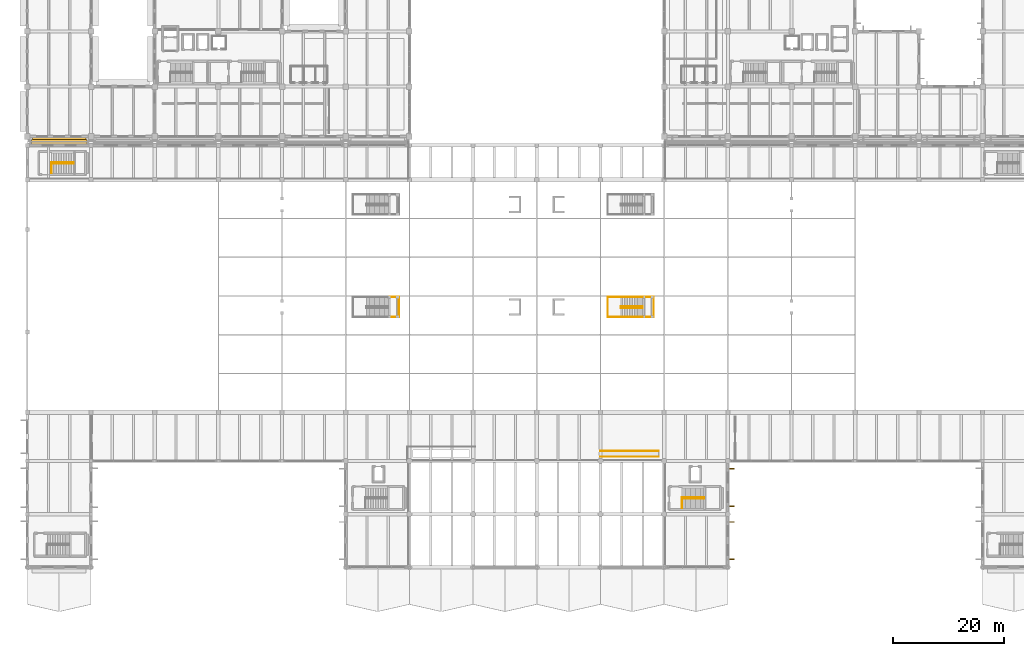
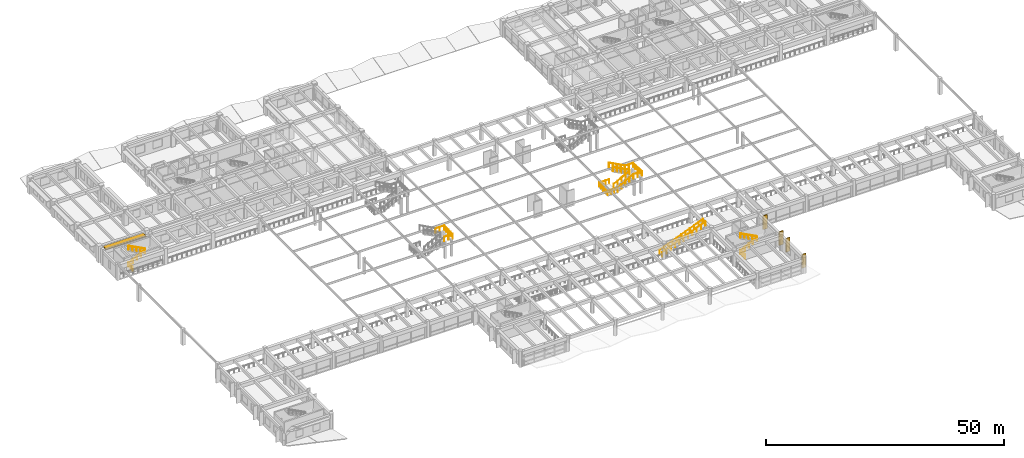
# One storey, part 92 of 98: 18 railings, 6 shading devices.
"""IFC4 building model written with IfcOpenShell, lengths in metres."""

from ifc_helpers import new_model, si_unit, direction, frame, origin, origin_2d, place, context, subcontext, project, spatial, rectangle, circle, extrude, material, layer, layer_set, type_object, element, save


model = new_model("IFC4")

# Units and contexts
model_context = context("Model", 3, precision=1e-05, world=origin(), true_north=direction((0.0, 1.0)))
body_context = subcontext(model_context, "Body", "Model", "MODEL_VIEW")
ifc_project = project(units=[si_unit("LENGTHUNIT", "METRE"), si_unit("AREAUNIT", "SQUARE_METRE"), si_unit("VOLUMEUNIT", "CUBIC_METRE"), si_unit("PLANEANGLEUNIT", "RADIAN"), si_unit("MASSUNIT", "GRAM", prefix="KILO")], contexts=[model_context])

# Site, building, storey
site_placement = place(None, origin())
site = spatial("IfcSite", under=ifc_project, at=site_placement, CompositionType="ELEMENT")
building_placement = place(site_placement, origin())
building = spatial("IfcBuilding", under=site, at=building_placement, Name="Ologun Quay Terminus", CompositionType="ELEMENT")
storey_placement = place(building_placement, frame((0.0, 0.0, 4.199951171875)))
storey = spatial("IfcBuildingStorey", under=building, at=storey_placement, Name="L01", CompositionType="ELEMENT", Elevation=4.199951171875)

# Railings
ifc_material_1 = material(Name="Glass", Category="glass")
railing_type_1 = type_object("IfcRailingType", Name="Concourse & Atrium Glazed Balustrade 1150", PredefinedType="BALUSTRADE", material=ifc_material_1)
for number, where, name in (
    (1, (103.5, 27.97998046875, 0.0), "BL-GL Escalator Side Balustrade ESC-06-S"),
    (2, (103.5, 29.02001953125, 0.0), "BL-GL Escalator Side Balustrade ESC-06-N"),
):
    element("IfcRailing", number, at=place(storey_placement, frame(where)), inside=storey, type_object=railing_type_1, Name=name, PredefinedType="BALUSTRADE", context=body_context, shape_type="SweptSolid", body=[
        extrude(circle(Radius=0.02392578125, at=origin_2d()), frame((0.0, 0.0, 1.1259765625), z_axis=(0.92847817974, 0.0, 0.371386954196), x_axis=(0.0, 1.0, 0.0)), (0.0, 0.0, 1.0), 11.308837890625),
        extrude(circle(Radius=0.02099609375, at=origin_2d()), origin(), (0.0, 0.0, 1.0), 1.101806640625),
        extrude(circle(Radius=0.02099609375, at=origin_2d()), frame((1.050048828125, 0.0, 0.419921875)), (0.0, 0.0, 1.0), 1.101806640625),
        extrude(circle(Radius=0.02099609375, at=origin_2d()), frame((2.10009765625, 0.0, 0.840087890625)), (0.0, 0.0, 1.0), 1.101806640625),
        extrude(circle(Radius=0.02099609375, at=origin_2d()), frame((3.14990234375, 0.0, 1.260009765625)), (0.0, 0.0, 1.0), 1.101806640625),
        extrude(circle(Radius=0.02099609375, at=origin_2d()), frame((4.199951171875, 0.0, 1.679931640625)), (0.0, 0.0, 1.0), 1.101806640625),
        extrude(circle(Radius=0.02099609375, at=origin_2d()), frame((5.25, 0.0, 2.10009765625)), (0.0, 0.0, 1.0), 1.101806640625),
        extrude(circle(Radius=0.02099609375, at=origin_2d()), frame((6.300048828125, 0.0, 2.52001953125)), (0.0, 0.0, 1.0), 1.101806640625),
        extrude(circle(Radius=0.02099609375, at=origin_2d()), frame((7.35009765625, 0.0, 2.93994140625)), (0.0, 0.0, 1.0), 1.101806640625),
        extrude(circle(Radius=0.02099609375, at=origin_2d()), frame((8.39990234375, 0.0, 3.35986328125)), (0.0, 0.0, 1.0), 1.101806640625),
        extrude(circle(Radius=0.02099609375, at=origin_2d()), frame((9.449951171875, 0.0, 3.780029296875)), (0.0, 0.0, 1.0), 1.101806640625),
        extrude(circle(Radius=0.02099609375, at=origin_2d()), frame((10.5, 0.0, 4.199951171875)), (0.0, 0.0, 1.0), 1.101806640625),
    ])

# Shading devices
ifc_material_2 = material(Name="Aluminium 6063-T6", Category="aluminium")
ifc_layer_1 = layer(ifc_material_2, 0.10009765625)
ifc_layer_set_1 = layer_set([ifc_layer_1], Name="Aluminium 6063-T6")
shading_device_type_1 = type_object("IfcShadingDeviceType", Name="Deep Waterfront Brise-Soleil Blade 1200", PredefinedType="JALOUSIE", material=ifc_layer_set_1)
shading_device_1_placement = place(storey_placement, frame((5.75, 85.070068359375, 3.530029296875), z_axis=(0.0, 0.0, 1.0), x_axis=(1.0, 0.0, 0.0)))
element("IfcShadingDevice", 3, at=shading_device_1_placement, inside=storey, type_object=shading_device_type_1, Name="SD-02 Sun-Hood WEW-WW-O-L01-1", PredefinedType="JALOUSIE", context=body_context, shape_type="SweptSolid", body=[
    extrude(rectangle(XDim=9.659912109375, YDim=1.199951171875, at=origin_2d()), origin(), (0.0, 0.0, 1.0), 0.10009765625),
])
ifc_material_3 = material(Name="Aluminium 6063-T6", Category="aluminium")
ifc_layer_2 = layer(ifc_material_3, 0.080078125)
ifc_layer_set_2 = layer_set([ifc_layer_2], Name="Aluminium 6063-T6")
shading_device_type_2 = type_object("IfcShadingDeviceType", Name="Horizontal Extruded Aluminium Sun Louvre 900", PredefinedType="JALOUSIE", material=ifc_layer_set_2)
shading_device_2_placement = place(storey_placement, frame((5.75, 84.780029296875, 3.4599609375), z_axis=(0.0, 0.0, 1.0), x_axis=(1.0, 0.0, 0.0)))
element("IfcShadingDevice", 4, at=shading_device_2_placement, inside=storey, type_object=shading_device_type_2, Name="SD-01 Sun-Hood WEW-NGW-L01-01", PredefinedType="JALOUSIE", context=body_context, shape_type="SweptSolid", body=[
    extrude(rectangle(XDim=9.9599609375, YDim=0.89990234375, at=origin_2d()), origin(), (0.0, 0.0, 1.0), 0.080078125),
])
ifc_material_4 = material(Name="Concrete C40/50", Category="concrete")
ifc_layer_3 = layer(ifc_material_4, 0.179931640625)
ifc_layer_set_3 = layer_set([ifc_layer_3], Name="Concrete C40/50")
shading_device_type_3 = type_object("IfcShadingDeviceType", Name="Sculpted Concrete Vertical Solar Fin 1050x180", PredefinedType="USERDEFINED", material=ifc_layer_set_3)
for number, where, z_axis, x_axis, name in (
    (5, (127.175048828125, 9.419921875, 0.150146484375), (0.0, 0.0, 1.0), (1.0, 0.0, 0.0), "SD-04 Vertical Solar Fin WEW-SA-L01-2-11-1"),
    (6, (127.175048828125, 16.179931640625, 0.150146484375), (0.0, 0.0, 1.0), (1.0, 0.0, 0.0), "SD-04 Vertical Solar Fin WEW-SA-L01-2-11-2"),
    (7, (127.175048828125, 19.02001953125, 0.150146484375), (0.0, 0.0, 1.0), (1.0, 0.0, 0.0), "SD-04 Vertical Solar Fin WEW-SA-L01-2-12-1"),
    (8, (127.175048828125, 25.780029296875, 0.150146484375), (0.0, 0.0, 1.0), (1.0, 0.0, 0.0), "SD-04 Vertical Solar Fin WEW-SA-L01-2-12-2"),
):
    element("IfcShadingDevice", number, at=place(storey_placement, frame(where, z_axis=z_axis, x_axis=x_axis)), inside=storey, type_object=shading_device_type_3, Name=name, ObjectType="SOLAR FIN", PredefinedType="USERDEFINED", context=body_context, shape_type="SweptSolid", body=[
        extrude(rectangle(XDim=1.050048828125, YDim=0.179931640625, at=origin_2d()), origin(), (0.0, 0.0, 1.0), 3.5400390625),
    ])

# Railings
ifc_material_5 = material(Name="Steel S355", Category="steel")
railing_type_2 = type_object("IfcRailingType", Name="Stair & Landing Steel Guardrail 1100", PredefinedType="GUARDRAIL", material=ifc_material_5)
railing_1_placement = place(storey_placement, frame((118.2099609375, 20.590087890625, 0.0)))
element("IfcRailing", 9, at=railing_1_placement, inside=storey, type_object=railing_type_2, Name="GR-ST Stair Floor Edge Guard ST-S4 L01", PredefinedType="GUARDRAIL", context=body_context, shape_type="SweptSolid", body=[
    extrude(circle(Radius=0.02392578125, at=origin_2d()), frame((0.0, 0.0, 1.076171875), z_axis=(0.0, -1.0, 0.0), x_axis=(1.0, 0.0, 0.0)), (0.0, 0.0, 1.0), 1.93017578125),
    extrude(circle(Radius=0.02099609375, at=origin_2d()), origin(), (0.0, 0.0, 1.0), 1.052001953125),
    extrude(circle(Radius=0.02099609375, at=origin_2d()), frame((0.0, -0.965087890625, 0.0)), (0.0, 0.0, 1.0), 1.052001953125),
    extrude(circle(Radius=0.02099609375, at=origin_2d()), frame((0.0, -1.93017578125, 0.0)), (0.0, 0.0, 1.0), 1.052001953125),
])
railing_2_placement = place(storey_placement, frame((118.25, 20.39990234375, 0.0)))
element("IfcRailing", 10, at=railing_2_placement, inside=storey, type_object=railing_type_2, Name="GR-ST Stair Inner Well Guard ST-S4 L01", PredefinedType="GUARDRAIL", context=body_context, shape_type="SweptSolid", body=[
    extrude(circle(Radius=0.02392578125, at=origin_2d()), frame((0.0, 0.0, 1.076171875), z_axis=(0.881967403671, 0.0, 0.471310406062), x_axis=(0.0, 1.0, 0.0)), (0.0, 0.0, 1.0), 4.455810546875),
    extrude(circle(Radius=0.02392578125, at=origin_2d()), frame((3.929931640625, 0.0, 3.17626953125), z_axis=(0.0, 1.0, 0.0), x_axis=(-1.0, 0.0, 0.0)), (0.0, 0.0, 1.0), 0.2001953125),
    extrude(circle(Radius=0.02392578125, at=origin_2d()), frame((3.929931640625, 0.2001953125, 3.17626953125), z_axis=(-0.881990178689, 0.0, 0.471267784488), x_axis=(0.0, -1.0, 0.0)), (0.0, 0.0, 1.0), 4.455810546875),
    extrude(circle(Radius=0.02099609375, at=origin_2d()), origin(), (0.0, 0.0, 1.0), 1.052001953125),
    extrude(circle(Radius=0.02099609375, at=origin_2d()), frame((0.982421875, 0.0, 0.52490234375)), (0.0, 0.0, 1.0), 1.052001953125),
    extrude(circle(Radius=0.02099609375, at=origin_2d()), frame((1.96484375, 0.0, 1.050048828125)), (0.0, 0.0, 1.0), 1.052001953125),
    extrude(circle(Radius=0.02099609375, at=origin_2d()), frame((2.947509765625, 0.0, 1.5751953125)), (0.0, 0.0, 1.0), 1.052001953125),
    extrude(circle(Radius=0.02099609375, at=origin_2d()), frame((3.929931640625, 0.0, 2.10009765625)), (0.0, 0.0, 1.0), 1.052001953125),
    extrude(circle(Radius=0.02099609375, at=origin_2d()), frame((3.929931640625, 0.2001953125, 2.10009765625)), (0.0, 0.0, 1.0), 1.052001953125),
    extrude(circle(Radius=0.02099609375, at=origin_2d()), frame((2.947509765625, 0.2001953125, 2.625)), (0.0, 0.0, 1.0), 1.052001953125),
    extrude(circle(Radius=0.02099609375, at=origin_2d()), frame((1.96484375, 0.2001953125, 3.14990234375)), (0.0, 0.0, 1.0), 1.052001953125),
    extrude(circle(Radius=0.02099609375, at=origin_2d()), frame((0.982421875, 0.2001953125, 3.675048828125)), (0.0, 0.0, 1.0), 1.052001953125),
    extrude(circle(Radius=0.02099609375, at=origin_2d()), frame((0.0, 0.2001953125, 4.199951171875)), (0.0, 0.0, 1.0), 1.052001953125),
])
railing_3_placement = place(storey_placement, frame((4.360107421875, 81.090087890625, 0.0)))
element("IfcRailing", 11, at=railing_3_placement, inside=storey, type_object=railing_type_2, Name="GR-ST Stair Floor Edge Guard ST-NG1 L01", PredefinedType="GUARDRAIL", context=body_context, shape_type="SweptSolid", body=[
    extrude(circle(Radius=0.02392578125, at=origin_2d()), frame((0.0, 0.0, 1.076171875), z_axis=(0.0, -1.0, 0.0), x_axis=(1.0, 0.0, 0.0)), (0.0, 0.0, 1.0), 1.93017578125),
    extrude(circle(Radius=0.02099609375, at=origin_2d()), origin(), (0.0, 0.0, 1.0), 1.052001953125),
    extrude(circle(Radius=0.02099609375, at=origin_2d()), frame((0.0, -0.965087890625, 0.0)), (0.0, 0.0, 1.0), 1.052001953125),
    extrude(circle(Radius=0.02099609375, at=origin_2d()), frame((0.0, -1.93017578125, 0.0)), (0.0, 0.0, 1.0), 1.052001953125),
])
railing_4_placement = place(storey_placement, frame((4.39990234375, 80.89990234375, 0.0)))
element("IfcRailing", 12, at=railing_4_placement, inside=storey, type_object=railing_type_2, Name="GR-ST Stair Inner Well Guard ST-NG1 L01", PredefinedType="GUARDRAIL", context=body_context, shape_type="SweptSolid", body=[
    extrude(circle(Radius=0.02392578125, at=origin_2d()), frame((0.0, 0.0, 1.076171875), z_axis=(0.881979573659, 0.0, 0.471287631545), x_axis=(0.0, 1.0, 0.0)), (0.0, 0.0, 1.0), 4.4560546875),
    extrude(circle(Radius=0.02392578125, at=origin_2d()), frame((3.93017578125, 0.0, 3.17626953125), z_axis=(0.0, 1.0, 0.0), x_axis=(-1.0, 0.0, 0.0)), (0.0, 0.0, 1.0), 0.2001953125),
    extrude(circle(Radius=0.02392578125, at=origin_2d()), frame((3.93017578125, 0.2001953125, 3.17626953125), z_axis=(-0.882002346791, 0.0, 0.471245010855), x_axis=(0.0, -1.0, 0.0)), (0.0, 0.0, 1.0), 4.4560546875),
    extrude(circle(Radius=0.02099609375, at=origin_2d()), origin(), (0.0, 0.0, 1.0), 1.052001953125),
    extrude(circle(Radius=0.02099609375, at=origin_2d()), frame((0.982421875, 0.0, 0.52490234375)), (0.0, 0.0, 1.0), 1.052001953125),
    extrude(circle(Radius=0.02099609375, at=origin_2d()), frame((1.965087890625, 0.0, 1.050048828125)), (0.0, 0.0, 1.0), 1.052001953125),
    extrude(circle(Radius=0.02099609375, at=origin_2d()), frame((2.94775390625, 0.0, 1.5751953125)), (0.0, 0.0, 1.0), 1.052001953125),
    extrude(circle(Radius=0.02099609375, at=origin_2d()), frame((3.93017578125, 0.0, 2.10009765625)), (0.0, 0.0, 1.0), 1.052001953125),
    extrude(circle(Radius=0.02099609375, at=origin_2d()), frame((3.93017578125, 0.2001953125, 2.10009765625)), (0.0, 0.0, 1.0), 1.052001953125),
    extrude(circle(Radius=0.02099609375, at=origin_2d()), frame((2.94775390625, 0.2001953125, 2.625)), (0.0, 0.0, 1.0), 1.052001953125),
    extrude(circle(Radius=0.02099609375, at=origin_2d()), frame((1.965087890625, 0.2001953125, 3.14990234375)), (0.0, 0.0, 1.0), 1.052001953125),
    extrude(circle(Radius=0.02099609375, at=origin_2d()), frame((0.982421875, 0.2001953125, 3.675048828125)), (0.0, 0.0, 1.0), 1.052001953125),
    extrude(circle(Radius=0.02099609375, at=origin_2d()), frame((0.0, 0.2001953125, 4.199951171875)), (0.0, 0.0, 1.0), 1.052001953125),
])
railing_5_placement = place(storey_placement, frame((107.199951171875, 54.85009765625, 0.0)))
element("IfcRailing", 13, at=railing_5_placement, inside=storey, type_object=railing_type_2, Name="GR-ST Stair Inner Well Guard ST-P2U L01", PredefinedType="GUARDRAIL", context=body_context, shape_type="SweptSolid", body=[
    extrude(circle(Radius=0.02392578125, at=origin_2d()), frame((0.0, 0.0, 1.076171875), z_axis=(0.881967403671, 0.0, 0.471310406062), x_axis=(0.0, 1.0, 0.0)), (0.0, 0.0, 1.0), 4.455810546875),
    extrude(circle(Radius=0.02392578125, at=origin_2d()), frame((3.929931640625, 0.0, 3.17626953125), z_axis=(0.0, 1.0, 0.0), x_axis=(-1.0, 0.0, 0.0)), (0.0, 0.0, 1.0), 0.2998046875),
    extrude(circle(Radius=0.02392578125, at=origin_2d()), frame((3.929931640625, 0.2998046875, 3.17626953125), z_axis=(-0.881990178689, 0.0, 0.471267784488), x_axis=(0.0, -1.0, 0.0)), (0.0, 0.0, 1.0), 4.455810546875),
    extrude(circle(Radius=0.02099609375, at=origin_2d()), origin(), (0.0, 0.0, 1.0), 1.052001953125),
    extrude(circle(Radius=0.02099609375, at=origin_2d()), frame((0.982421875, 0.0, 0.52490234375)), (0.0, 0.0, 1.0), 1.052001953125),
    extrude(circle(Radius=0.02099609375, at=origin_2d()), frame((1.96484375, 0.0, 1.050048828125)), (0.0, 0.0, 1.0), 1.052001953125),
    extrude(circle(Radius=0.02099609375, at=origin_2d()), frame((2.947509765625, 0.0, 1.5751953125)), (0.0, 0.0, 1.0), 1.052001953125),
    extrude(circle(Radius=0.02099609375, at=origin_2d()), frame((3.929931640625, 0.0, 2.10009765625)), (0.0, 0.0, 1.0), 1.052001953125),
    extrude(circle(Radius=0.02099609375, at=origin_2d()), frame((3.929931640625, 0.2998046875, 2.10009765625)), (0.0, 0.0, 1.0), 1.052001953125),
    extrude(circle(Radius=0.02099609375, at=origin_2d()), frame((2.947509765625, 0.2998046875, 2.625)), (0.0, 0.0, 1.0), 1.052001953125),
    extrude(circle(Radius=0.02099609375, at=origin_2d()), frame((1.96484375, 0.2998046875, 3.14990234375)), (0.0, 0.0, 1.0), 1.052001953125),
    extrude(circle(Radius=0.02099609375, at=origin_2d()), frame((0.982421875, 0.2998046875, 3.675048828125)), (0.0, 0.0, 1.0), 1.052001953125),
    extrude(circle(Radius=0.02099609375, at=origin_2d()), frame((0.0, 0.2998046875, 4.199951171875)), (0.0, 0.0, 1.0), 1.052001953125),
])
railing_6_placement = place(storey_placement, frame((107.219970703125, 53.199951171875, 0.0)))
element("IfcRailing", 14, at=railing_6_placement, inside=storey, type_object=railing_type_2, Name="GR-ST Platform Transfer Bridge Guard ST-P2 L01", PredefinedType="GUARDRAIL", context=body_context, shape_type="SweptSolid", body=[
    extrude(circle(Radius=0.02392578125, at=origin_2d()), frame((0.0, 0.0, 1.076171875), z_axis=(-1.0, 0.0, 0.0), x_axis=(0.0, -1.0, 0.0)), (0.0, 0.0, 1.0), 2.419921875),
    extrude(circle(Radius=0.02392578125, at=origin_2d()), frame((-2.419921875, 0.0, 1.076171875), z_axis=(0.0, 1.0, 0.0), x_axis=(-1.0, 0.0, 0.0)), (0.0, 0.0, 1.0), 3.60009765625),
    extrude(circle(Radius=0.02392578125, at=origin_2d()), frame((-2.419921875, 3.60009765625, 1.076171875), z_axis=(1.0, 0.0, 0.0), x_axis=(0.0, 1.0, 0.0)), (0.0, 0.0, 1.0), 2.419921875),
    extrude(circle(Radius=0.02099609375, at=origin_2d()), origin(), (0.0, 0.0, 1.0), 1.052001953125),
    extrude(circle(Radius=0.02099609375, at=origin_2d()), frame((-0.806640625, 0.0, 0.0)), (0.0, 0.0, 1.0), 1.052001953125),
    extrude(circle(Radius=0.02099609375, at=origin_2d()), frame((-1.61328125, 0.0, 0.0)), (0.0, 0.0, 1.0), 1.052001953125),
    extrude(circle(Radius=0.02099609375, at=origin_2d()), frame((-2.419921875, 0.0, 0.0)), (0.0, 0.0, 1.0), 1.052001953125),
    extrude(circle(Radius=0.02099609375, at=origin_2d()), frame((-2.419921875, 0.89990234375, 0.0)), (0.0, 0.0, 1.0), 1.052001953125),
    extrude(circle(Radius=0.02099609375, at=origin_2d()), frame((-2.419921875, 1.800048828125, 0.0)), (0.0, 0.0, 1.0), 1.052001953125),
    extrude(circle(Radius=0.02099609375, at=origin_2d()), frame((-2.419921875, 2.7001953125, 0.0)), (0.0, 0.0, 1.0), 1.052001953125),
    extrude(circle(Radius=0.02099609375, at=origin_2d()), frame((-2.419921875, 3.60009765625, 0.0)), (0.0, 0.0, 1.0), 1.052001953125),
    extrude(circle(Radius=0.02099609375, at=origin_2d()), frame((-1.61328125, 3.60009765625, 0.0)), (0.0, 0.0, 1.0), 1.052001953125),
    extrude(circle(Radius=0.02099609375, at=origin_2d()), frame((-0.806640625, 3.60009765625, 0.0)), (0.0, 0.0, 1.0), 1.052001953125),
    extrude(circle(Radius=0.02099609375, at=origin_2d()), frame((0.0, 3.60009765625, 0.0)), (0.0, 0.0, 1.0), 1.052001953125),
])
ifc_material_6 = material(Name="Steel S355", Category="steel")
railing_type_3 = type_object("IfcRailingType", Name="Stair Stainless Tubular Handrail 920", PredefinedType="HANDRAIL", material=ifc_material_6)
railing_7_placement = place(storey_placement, frame((118.25, 20.389892578125, 0.150146484375)))
element("IfcRailing", 15, at=railing_7_placement, inside=storey, type_object=railing_type_3, Name="HR-ST Handrail ST-S4-F1 L01", PredefinedType="HANDRAIL", context=body_context, shape_type="SweptSolid", body=[
    extrude(circle(Radius=0.02392578125, at=origin_2d()), frame((0.0, 0.0, 0.89599609375), z_axis=(0.894427191, 0.0, 0.4472135955), x_axis=(0.0, 1.0, 0.0)), (0.0, 0.0, 1.0), 4.360107421875),
    extrude(circle(Radius=0.02099609375, at=origin_2d()), origin(), (0.0, 0.0, 1.0), 0.871826171875),
    extrude(circle(Radius=0.02099609375, at=origin_2d()), frame((0.97509765625, 0.0, 0.487548828125)), (0.0, 0.0, 1.0), 0.871826171875),
    extrude(circle(Radius=0.02099609375, at=origin_2d()), frame((1.949951171875, 0.0, 0.97509765625)), (0.0, 0.0, 1.0), 0.871826171875),
    extrude(circle(Radius=0.02099609375, at=origin_2d()), frame((2.9248046875, 0.0, 1.46240234375)), (0.0, 0.0, 1.0), 0.871826171875),
    extrude(circle(Radius=0.02099609375, at=origin_2d()), frame((3.89990234375, 0.0, 1.949951171875)), (0.0, 0.0, 1.0), 0.871826171875),
])
railing_8_placement = place(storey_placement, frame((122.14990234375, 20.610107421875, 2.25)))
element("IfcRailing", 16, at=railing_8_placement, inside=storey, type_object=railing_type_3, Name="HR-ST Handrail ST-S4-F2 L01", PredefinedType="HANDRAIL", context=body_context, shape_type="SweptSolid", body=[
    extrude(circle(Radius=0.02392578125, at=origin_2d()), frame((0.0, 0.0, 0.89599609375), z_axis=(-0.894427191, 0.0, 0.4472135955), x_axis=(0.0, -1.0, 0.0)), (0.0, 0.0, 1.0), 4.360107421875),
    extrude(circle(Radius=0.02099609375, at=origin_2d()), origin(), (0.0, 0.0, 1.0), 0.871826171875),
    extrude(circle(Radius=0.02099609375, at=origin_2d()), frame((-0.97509765625, 0.0, 0.487548828125)), (0.0, 0.0, 1.0), 0.871826171875),
    extrude(circle(Radius=0.02099609375, at=origin_2d()), frame((-1.949951171875, 0.0, 0.97509765625)), (0.0, 0.0, 1.0), 0.871826171875),
    extrude(circle(Radius=0.02099609375, at=origin_2d()), frame((-2.9248046875, 0.0, 1.46240234375)), (0.0, 0.0, 1.0), 0.871826171875),
    extrude(circle(Radius=0.02099609375, at=origin_2d()), frame((-3.89990234375, 0.0, 1.949951171875)), (0.0, 0.0, 1.0), 0.871826171875),
])
railing_9_placement = place(storey_placement, frame((4.39990234375, 80.889892578125, 0.150146484375)))
element("IfcRailing", 17, at=railing_9_placement, inside=storey, type_object=railing_type_3, Name="HR-ST Handrail ST-NG1-F1 L01", PredefinedType="HANDRAIL", context=body_context, shape_type="SweptSolid", body=[
    extrude(circle(Radius=0.02392578125, at=origin_2d()), frame((0.0, 0.0, 0.89599609375), z_axis=(0.894438388696, 0.0, 0.447191199406), x_axis=(0.0, 1.0, 0.0)), (0.0, 0.0, 1.0), 4.3603515625),
    extrude(circle(Radius=0.02099609375, at=origin_2d()), origin(), (0.0, 0.0, 1.0), 0.871826171875),
    extrude(circle(Radius=0.02099609375, at=origin_2d()), frame((0.97509765625, 0.0, 0.487548828125)), (0.0, 0.0, 1.0), 0.871826171875),
    extrude(circle(Radius=0.02099609375, at=origin_2d()), frame((1.9501953125, 0.0, 0.97509765625)), (0.0, 0.0, 1.0), 0.871826171875),
    extrude(circle(Radius=0.02099609375, at=origin_2d()), frame((2.925048828125, 0.0, 1.46240234375)), (0.0, 0.0, 1.0), 0.871826171875),
    extrude(circle(Radius=0.02099609375, at=origin_2d()), frame((3.900146484375, 0.0, 1.949951171875)), (0.0, 0.0, 1.0), 0.871826171875),
])
railing_10_placement = place(storey_placement, frame((8.300048828125, 81.110107421875, 2.25)))
element("IfcRailing", 18, at=railing_10_placement, inside=storey, type_object=railing_type_3, Name="HR-ST Handrail ST-NG1-F2 L01", PredefinedType="HANDRAIL", context=body_context, shape_type="SweptSolid", body=[
    extrude(circle(Radius=0.02392578125, at=origin_2d()), frame((0.0, 0.0, 0.89599609375), z_axis=(-0.894438388696, 0.0, 0.447191199406), x_axis=(0.0, -1.0, 0.0)), (0.0, 0.0, 1.0), 4.3603515625),
    extrude(circle(Radius=0.02099609375, at=origin_2d()), origin(), (0.0, 0.0, 1.0), 0.871826171875),
    extrude(circle(Radius=0.02099609375, at=origin_2d()), frame((-0.97509765625, 0.0, 0.487548828125)), (0.0, 0.0, 1.0), 0.871826171875),
    extrude(circle(Radius=0.02099609375, at=origin_2d()), frame((-1.9501953125, 0.0, 0.97509765625)), (0.0, 0.0, 1.0), 0.871826171875),
    extrude(circle(Radius=0.02099609375, at=origin_2d()), frame((-2.925048828125, 0.0, 1.46240234375)), (0.0, 0.0, 1.0), 0.871826171875),
    extrude(circle(Radius=0.02099609375, at=origin_2d()), frame((-3.900146484375, 0.0, 1.949951171875)), (0.0, 0.0, 1.0), 0.871826171875),
])
railing_11_placement = place(storey_placement, frame((107.199951171875, 54.840087890625, 0.150146484375)))
element("IfcRailing", 19, at=railing_11_placement, inside=storey, type_object=railing_type_3, Name="HR-ST Handrail ST-P2U-F1 L01", PredefinedType="HANDRAIL", context=body_context, shape_type="SweptSolid", body=[
    extrude(circle(Radius=0.02392578125, at=origin_2d()), frame((0.0, 0.0, 0.89599609375), z_axis=(0.894438388696, 0.0, 0.447191199406), x_axis=(0.0, 1.0, 0.0)), (0.0, 0.0, 1.0), 4.3603515625),
    extrude(circle(Radius=0.02099609375, at=origin_2d()), origin(), (0.0, 0.0, 1.0), 0.871826171875),
    extrude(circle(Radius=0.02099609375, at=origin_2d()), frame((0.97509765625, 0.0, 0.487548828125)), (0.0, 0.0, 1.0), 0.871826171875),
    extrude(circle(Radius=0.02099609375, at=origin_2d()), frame((1.9501953125, 0.0, 0.97509765625)), (0.0, 0.0, 1.0), 0.871826171875),
    extrude(circle(Radius=0.02099609375, at=origin_2d()), frame((2.925048828125, 0.0, 1.46240234375)), (0.0, 0.0, 1.0), 0.871826171875),
    extrude(circle(Radius=0.02099609375, at=origin_2d()), frame((3.900146484375, 0.0, 1.949951171875)), (0.0, 0.0, 1.0), 0.871826171875),
])
railing_12_placement = place(storey_placement, frame((111.10009765625, 55.159912109375, 2.25)))
element("IfcRailing", 20, at=railing_12_placement, inside=storey, type_object=railing_type_3, Name="HR-ST Handrail ST-P2U-F2 L01", PredefinedType="HANDRAIL", context=body_context, shape_type="SweptSolid", body=[
    extrude(circle(Radius=0.02392578125, at=origin_2d()), frame((0.0, 0.0, 0.89599609375), z_axis=(-0.894438388696, 0.0, 0.447191199406), x_axis=(0.0, -1.0, 0.0)), (0.0, 0.0, 1.0), 4.3603515625),
    extrude(circle(Radius=0.02099609375, at=origin_2d()), origin(), (0.0, 0.0, 1.0), 0.871826171875),
    extrude(circle(Radius=0.02099609375, at=origin_2d()), frame((-0.97509765625, 0.0, 0.487548828125)), (0.0, 0.0, 1.0), 0.871826171875),
    extrude(circle(Radius=0.02099609375, at=origin_2d()), frame((-1.9501953125, 0.0, 0.97509765625)), (0.0, 0.0, 1.0), 0.871826171875),
    extrude(circle(Radius=0.02099609375, at=origin_2d()), frame((-2.925048828125, 0.0, 1.46240234375)), (0.0, 0.0, 1.0), 0.871826171875),
    extrude(circle(Radius=0.02099609375, at=origin_2d()), frame((-3.900146484375, 0.0, 1.949951171875)), (0.0, 0.0, 1.0), 0.871826171875),
])
ifc_material_7 = material(Name="Steel S355", Category="steel")
railing_type_4 = type_object("IfcRailingType", Name="Terrace & Quay Perimeter Guardrail 1150", PredefinedType="GUARDRAIL", material=ifc_material_7)
for number, where, name in (
    (21, (65.030029296875, 53.199951171875, 2.10009765625), "GR-TR Open Stair Half-Landing Guard ST-P1U L01"),
    (22, (111.030029296875, 53.199951171875, 2.10009765625), "GR-TR Open Stair Half-Landing Guard ST-P2U L01"),
):
    element("IfcRailing", number, at=place(storey_placement, frame(where)), inside=storey, type_object=railing_type_4, Name=name, PredefinedType="GUARDRAIL", context=body_context, shape_type="SweptSolid", body=[
        extrude(circle(Radius=0.02392578125, at=origin_2d()), frame((0.0, 0.0, 1.1259765625), z_axis=(1.0, 0.0, 0.0), x_axis=(0.0, 1.0, 0.0)), (0.0, 0.0, 1.0), 2.080078125),
        extrude(circle(Radius=0.02392578125, at=origin_2d()), frame((2.080078125, 0.0, 1.1259765625), z_axis=(0.0, 1.0, 0.0), x_axis=(-1.0, 0.0, 0.0)), (0.0, 0.0, 1.0), 3.60009765625),
        extrude(circle(Radius=0.02392578125, at=origin_2d()), frame((2.080078125, 3.60009765625, 1.1259765625), z_axis=(-1.0, 0.0, 0.0), x_axis=(0.0, -1.0, 0.0)), (0.0, 0.0, 1.0), 2.080078125),
        extrude(circle(Radius=0.02099609375, at=origin_2d()), origin(), (0.0, 0.0, 1.0), 1.101806640625),
        extrude(circle(Radius=0.02099609375, at=origin_2d()), frame((1.0400390625, 0.0, 0.0)), (0.0, 0.0, 1.0), 1.101806640625),
        extrude(circle(Radius=0.02099609375, at=origin_2d()), frame((2.080078125, 0.0, 0.0)), (0.0, 0.0, 1.0), 1.101806640625),
        extrude(circle(Radius=0.02099609375, at=origin_2d()), frame((2.080078125, 0.89990234375, 0.0)), (0.0, 0.0, 1.0), 1.101806640625),
        extrude(circle(Radius=0.02099609375, at=origin_2d()), frame((2.080078125, 1.800048828125, 0.0)), (0.0, 0.0, 1.0), 1.101806640625),
        extrude(circle(Radius=0.02099609375, at=origin_2d()), frame((2.080078125, 2.7001953125, 0.0)), (0.0, 0.0, 1.0), 1.101806640625),
        extrude(circle(Radius=0.02099609375, at=origin_2d()), frame((2.080078125, 3.60009765625, 0.0)), (0.0, 0.0, 1.0), 1.101806640625),
        extrude(circle(Radius=0.02099609375, at=origin_2d()), frame((1.0400390625, 3.60009765625, 0.0)), (0.0, 0.0, 1.0), 1.101806640625),
        extrude(circle(Radius=0.02099609375, at=origin_2d()), frame((0.0, 3.60009765625, 0.0)), (0.0, 0.0, 1.0), 1.101806640625),
    ])
railing_13_placement = place(storey_placement, frame((107.199951171875, 53.199951171875, 0.0)))
element("IfcRailing", 23, at=railing_13_placement, inside=storey, type_object=railing_type_4, Name="GR-TR Open Flight Outer Guard ST-P2U-S L01", PredefinedType="GUARDRAIL", context=body_context, shape_type="SweptSolid", body=[
    extrude(circle(Radius=0.02392578125, at=origin_2d()), frame((0.0, 0.0, 1.1259765625), z_axis=(0.878931799495, 0.0, 0.476947472827), x_axis=(0.0, 1.0, 0.0)), (0.0, 0.0, 1.0), 4.4033203125),
    extrude(circle(Radius=0.02099609375, at=origin_2d()), origin(), (0.0, 0.0, 1.0), 1.101806640625),
    extrude(circle(Radius=0.02099609375, at=origin_2d()), frame((0.967529296875, 0.0, 0.52490234375)), (0.0, 0.0, 1.0), 1.101806640625),
    extrude(circle(Radius=0.02099609375, at=origin_2d()), frame((1.93505859375, 0.0, 1.050048828125)), (0.0, 0.0, 1.0), 1.101806640625),
    extrude(circle(Radius=0.02099609375, at=origin_2d()), frame((2.902587890625, 0.0, 1.5751953125)), (0.0, 0.0, 1.0), 1.101806640625),
    extrude(circle(Radius=0.02099609375, at=origin_2d()), frame((3.8701171875, 0.0, 2.10009765625)), (0.0, 0.0, 1.0), 1.101806640625),
])
railing_14_placement = place(storey_placement, frame((107.199951171875, 56.800048828125, 4.199951171875)))
element("IfcRailing", 24, at=railing_14_placement, inside=storey, type_object=railing_type_4, Name="GR-TR Open Flight Outer Guard ST-P2U-N L01", PredefinedType="GUARDRAIL", context=body_context, shape_type="SweptSolid", body=[
    extrude(circle(Radius=0.02392578125, at=origin_2d()), frame((0.0, 0.0, 1.1259765625), z_axis=(0.878955042315, 0.0, -0.476904637835), x_axis=(0.0, 1.0, 0.0)), (0.0, 0.0, 1.0), 4.403076171875),
    extrude(circle(Radius=0.02099609375, at=origin_2d()), origin(), (0.0, 0.0, 1.0), 1.101806640625),
    extrude(circle(Radius=0.02099609375, at=origin_2d()), frame((0.967529296875, 0.0, -0.52490234375)), (0.0, 0.0, 1.0), 1.101806640625),
    extrude(circle(Radius=0.02099609375, at=origin_2d()), frame((1.93505859375, 0.0, -1.0498046875)), (0.0, 0.0, 1.0), 1.101806640625),
    extrude(circle(Radius=0.02099609375, at=origin_2d()), frame((2.902587890625, 0.0, -1.574951171875)), (0.0, 0.0, 1.0), 1.101806640625),
    extrude(circle(Radius=0.02099609375, at=origin_2d()), frame((3.8701171875, 0.0, -2.099853515625)), (0.0, 0.0, 1.0), 1.101806640625),
])

save(model, "model.ifc")
